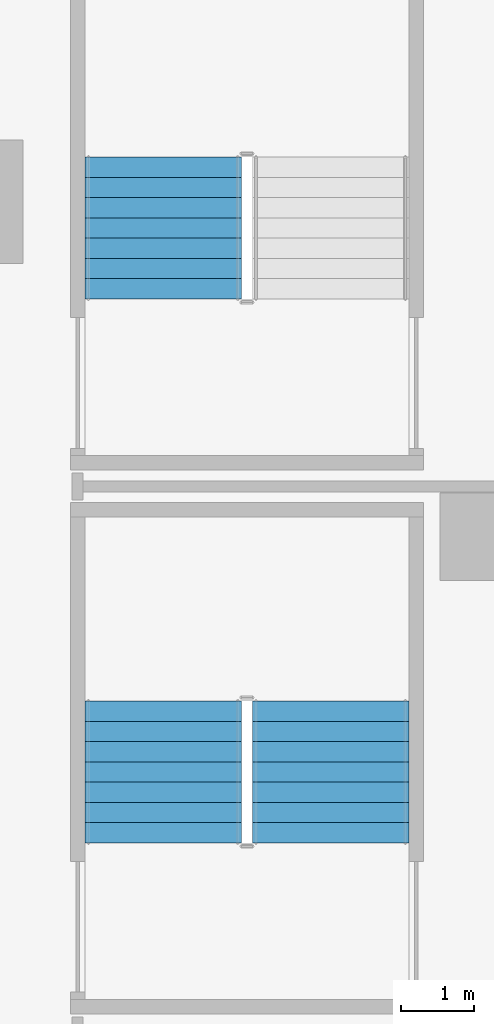
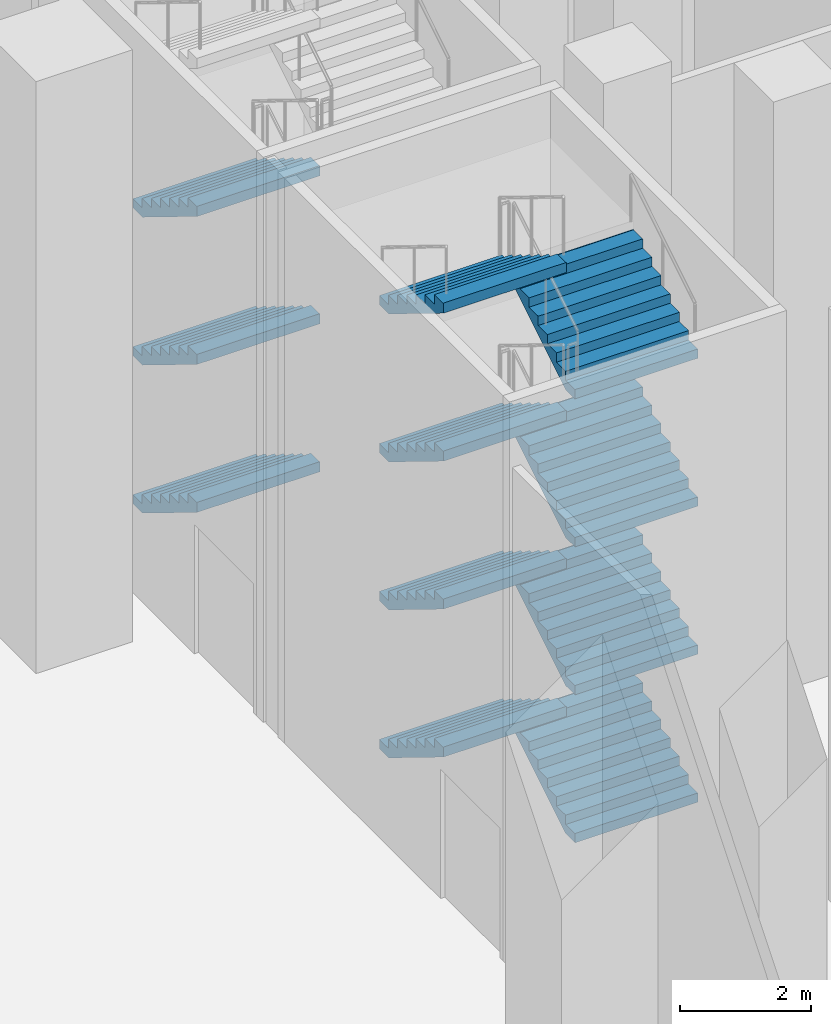
# One storey, part 18 of 31: 11 stair flights, 2 elements without a shape of their own.
"""IFC4 building model written with IfcOpenShell, lengths in metres."""

from ifc_helpers import new_model, si_unit, direction, frame, origin, place, context, subcontext, project, spatial, faceted_brep, source, transform, mapped, material, type_object, element, aggregate, save


model = new_model("IFC4")

# Units and contexts
model_context = context("Model", 3, precision=1e-05, world=origin(), true_north=direction((0.0, 1.0)))
body_context = subcontext(model_context, "Body", "Model", "MODEL_VIEW")
ifc_project = project(units=[si_unit("LENGTHUNIT", "METRE"), si_unit("AREAUNIT", "SQUARE_METRE"), si_unit("VOLUMEUNIT", "CUBIC_METRE"), si_unit("PLANEANGLEUNIT", "RADIAN"), si_unit("MASSUNIT", "GRAM", prefix="KILO")], contexts=[model_context])

# Site, building, storey
site_placement = place(None, origin())
site = spatial("IfcSite", under=ifc_project, at=site_placement, CompositionType="ELEMENT")
building_placement = place(site_placement, origin())
building = spatial("IfcBuilding", under=site, at=building_placement, Name="Calabash Gate Tower", CompositionType="ELEMENT")
storey_placement = place(building_placement, frame((0.0, 0.0, 9.0)))
storey = spatial("IfcBuildingStorey", under=building, at=storey_placement, Name="L01", CompositionType="ELEMENT", Elevation=9.0)

# Stair, stair flights
ifc_material_1 = material(Name="Concrete C40/50", Category="concrete")
stair_type = type_object("IfcStairType", Name="Public stair 64 risers of 171.9 mm", PredefinedType="HALF_TURN_STAIR", material=ifc_material_1)
stair_1_placement = place(storey_placement, origin())
stair_1 = element("IfcStair", 1, at=stair_1_placement, inside=storey, type_object=stair_type, Name="L01 Public Stair PS6", PredefinedType="HALF_TURN_STAIR")
ifc_material_2 = material(Name="Concrete C40/50", Category="concrete")
stair_flight_type = type_object("IfcStairFlightType", Name="Exit stair flight SFL", PredefinedType="STRAIGHT", material=ifc_material_2)
shared_shape = source(origin(), body_context, "Body", "Brep", [
    faceted_brep([(-0.0009765625, -1.080078125, 0.0), (0.285888671875, -1.080078125, 0.0), (1.9541015625, -1.080078125, 1.027099609375), (-0.0009765625, 1.080078125, 0.0), (1.9541015625, 1.080078125, 1.027099609375), (0.285888671875, 1.080078125, 0.0), (1.9541015625, -1.080078125, 1.215087890625), (1.952880859375, -1.080078125, 1.215087890625), (1.952880859375, 1.080078125, 1.215087890625), (1.9541015625, 1.080078125, 1.215087890625), (1.952880859375, -1.080078125, 1.203125), (1.952880859375, 1.080078125, 1.203125), (1.674072265625, -1.080078125, 1.203125), (1.674072265625, 1.080078125, 1.203125), (1.674072265625, -1.080078125, 1.03125), (1.674072265625, 1.080078125, 1.03125), (1.39501953125, -1.080078125, 1.03125), (1.39501953125, 1.080078125, 1.03125), (1.39501953125, -1.080078125, 0.859375), (1.39501953125, 1.080078125, 0.859375), (1.115966796875, -1.080078125, 0.859375), (1.115966796875, -1.080078125, 0.6875), (1.115966796875, 1.080078125, 0.6875), (1.115966796875, 1.080078125, 0.859375), (0.8369140625, -1.080078125, 0.6875), (0.8369140625, -1.080078125, 0.515625), (0.8369140625, 1.080078125, 0.515625), (0.8369140625, 1.080078125, 0.6875), (0.55810546875, -1.080078125, 0.515625), (0.55810546875, -1.080078125, 0.34375), (0.55810546875, 1.080078125, 0.34375), (0.55810546875, 1.080078125, 0.515625), (0.279052734375, -1.080078125, 0.34375), (0.279052734375, -1.080078125, 0.171875), (0.279052734375, 1.080078125, 0.171875), (0.279052734375, 1.080078125, 0.34375), (-0.0009765625, -1.080078125, 0.171875), (-0.0009765625, 1.080078125, 0.171875), (0.285888671875, -0.431884765625, 0.0), (1.9541015625, -0.431884765625, 1.027099609375), (0.285888671875, -0.370361328125, 0.0), (1.9541015625, -0.370361328125, 1.027099609375), (0.285888671875, -0.30859375, 0.0), (1.9541015625, -0.30859375, 1.027099609375), (0.285888671875, -0.246826171875, 0.0), (1.9541015625, -0.246826171875, 1.027099609375), (0.285888671875, -0.18505859375, 0.0), (1.9541015625, -0.18505859375, 1.027099609375), (0.285888671875, -0.12353515625, 0.0), (1.9541015625, -0.12353515625, 1.027099609375), (0.285888671875, -0.061767578125, 0.0), (1.9541015625, -0.061767578125, 1.027099609375), (0.285888671875, 0.0, 0.0), (1.9541015625, 0.0, 1.027099609375), (0.285888671875, 0.061767578125, 0.0), (1.9541015625, 0.061767578125, 1.027099609375), (0.285888671875, 0.12353515625, 0.0), (1.9541015625, 0.12353515625, 1.027099609375), (0.285888671875, 0.18505859375, 0.0), (1.9541015625, 0.18505859375, 1.027099609375), (0.285888671875, 0.246826171875, 0.0), (1.9541015625, 0.246826171875, 1.027099609375), (0.285888671875, 0.30859375, 0.0), (1.9541015625, 0.30859375, 1.027099609375), (0.285888671875, 0.370361328125, 0.0), (1.9541015625, 0.370361328125, 1.027099609375), (0.285888671875, 0.431884765625, 0.0), (1.9541015625, 0.431884765625, 1.027099609375), (1.9541015625, -0.431884765625, 1.215087890625), (1.9541015625, -0.370361328125, 1.215087890625), (1.9541015625, -0.30859375, 1.215087890625), (1.9541015625, -0.246826171875, 1.215087890625), (1.9541015625, -0.18505859375, 1.215087890625), (1.9541015625, -0.12353515625, 1.215087890625), (1.9541015625, -0.061767578125, 1.215087890625), (1.9541015625, 0.0, 1.215087890625), (1.9541015625, 0.061767578125, 1.215087890625), (1.9541015625, 0.12353515625, 1.215087890625), (1.9541015625, 0.18505859375, 1.215087890625), (1.9541015625, 0.246826171875, 1.215087890625), (1.9541015625, 0.30859375, 1.215087890625), (1.9541015625, 0.370361328125, 1.215087890625), (1.9541015625, 0.431884765625, 1.215087890625), (1.952880859375, -0.431884765625, 1.215087890625), (1.952880859375, -0.370361328125, 1.215087890625), (1.952880859375, -0.30859375, 1.215087890625), (1.952880859375, -0.246826171875, 1.215087890625), (1.952880859375, -0.18505859375, 1.215087890625), (1.952880859375, -0.12353515625, 1.215087890625), (1.952880859375, -0.061767578125, 1.215087890625), (1.952880859375, 0.0, 1.215087890625), (1.952880859375, 0.061767578125, 1.215087890625), (1.952880859375, 0.12353515625, 1.215087890625), (1.952880859375, 0.18505859375, 1.215087890625), (1.952880859375, 0.246826171875, 1.215087890625), (1.952880859375, 0.30859375, 1.215087890625), (1.952880859375, 0.370361328125, 1.215087890625), (1.952880859375, 0.431884765625, 1.215087890625), (1.952880859375, -0.431884765625, 1.203125), (1.952880859375, -0.370361328125, 1.203125), (1.952880859375, -0.30859375, 1.203125), (1.952880859375, -0.246826171875, 1.203125), (1.952880859375, -0.18505859375, 1.203125), (1.952880859375, -0.12353515625, 1.203125), (1.952880859375, -0.061767578125, 1.203125), (1.952880859375, 0.0, 1.203125), (1.952880859375, 0.061767578125, 1.203125), (1.952880859375, 0.12353515625, 1.203125), (1.952880859375, 0.18505859375, 1.203125), (1.952880859375, 0.246826171875, 1.203125), (1.952880859375, 0.30859375, 1.203125), (1.952880859375, 0.370361328125, 1.203125), (1.952880859375, 0.431884765625, 1.203125), (1.674072265625, -0.431884765625, 1.203125), (1.674072265625, -0.370361328125, 1.203125), (1.674072265625, -0.30859375, 1.203125), (1.674072265625, -0.246826171875, 1.203125), (1.674072265625, -0.18505859375, 1.203125), (1.674072265625, -0.12353515625, 1.203125), (1.674072265625, -0.061767578125, 1.203125), (1.674072265625, 0.0, 1.203125), (1.674072265625, 0.061767578125, 1.203125), (1.674072265625, 0.12353515625, 1.203125), (1.674072265625, 0.18505859375, 1.203125), (1.674072265625, 0.246826171875, 1.203125), (1.674072265625, 0.30859375, 1.203125), (1.674072265625, 0.370361328125, 1.203125), (1.674072265625, 0.431884765625, 1.203125), (1.674072265625, -0.431884765625, 1.03125), (1.674072265625, -0.370361328125, 1.03125), (1.674072265625, -0.30859375, 1.03125), (1.674072265625, -0.246826171875, 1.03125), (1.674072265625, -0.18505859375, 1.03125), (1.674072265625, -0.12353515625, 1.03125), (1.674072265625, -0.061767578125, 1.03125), (1.674072265625, 0.0, 1.03125), (1.674072265625, 0.061767578125, 1.03125), (1.674072265625, 0.12353515625, 1.03125), (1.674072265625, 0.18505859375, 1.03125), (1.674072265625, 0.246826171875, 1.03125), (1.674072265625, 0.30859375, 1.03125), (1.674072265625, 0.370361328125, 1.03125), (1.674072265625, 0.431884765625, 1.03125), (1.39501953125, -0.431884765625, 1.03125), (1.39501953125, -0.370361328125, 1.03125), (1.39501953125, -0.30859375, 1.03125), (1.39501953125, -0.246826171875, 1.03125), (1.39501953125, -0.18505859375, 1.03125), (1.39501953125, -0.12353515625, 1.03125), (1.39501953125, -0.061767578125, 1.03125), (1.39501953125, 0.0, 1.03125), (1.39501953125, 0.061767578125, 1.03125), (1.39501953125, 0.12353515625, 1.03125), (1.39501953125, 0.18505859375, 1.03125), (1.39501953125, 0.246826171875, 1.03125), (1.39501953125, 0.30859375, 1.03125), (1.39501953125, 0.370361328125, 1.03125), (1.39501953125, 0.431884765625, 1.03125), (1.39501953125, -0.431884765625, 0.859375), (1.39501953125, -0.370361328125, 0.859375), (1.39501953125, -0.30859375, 0.859375), (1.39501953125, -0.246826171875, 0.859375), (1.39501953125, -0.18505859375, 0.859375), (1.39501953125, -0.12353515625, 0.859375), (1.39501953125, -0.061767578125, 0.859375), (1.39501953125, 0.0, 0.859375), (1.39501953125, 0.061767578125, 0.859375), (1.39501953125, 0.12353515625, 0.859375), (1.39501953125, 0.18505859375, 0.859375), (1.39501953125, 0.246826171875, 0.859375), (1.39501953125, 0.30859375, 0.859375), (1.39501953125, 0.370361328125, 0.859375), (1.39501953125, 0.431884765625, 0.859375), (1.115966796875, -0.431884765625, 0.859375), (1.115966796875, -0.370361328125, 0.859375), (1.115966796875, -0.30859375, 0.859375), (1.115966796875, -0.246826171875, 0.859375), (1.115966796875, -0.18505859375, 0.859375), (1.115966796875, -0.12353515625, 0.859375), (1.115966796875, -0.061767578125, 0.859375), (1.115966796875, 0.0, 0.859375), (1.115966796875, 0.061767578125, 0.859375), (1.115966796875, 0.12353515625, 0.859375), (1.115966796875, 0.18505859375, 0.859375), (1.115966796875, 0.246826171875, 0.859375), (1.115966796875, 0.30859375, 0.859375), (1.115966796875, 0.370361328125, 0.859375), (1.115966796875, 0.431884765625, 0.859375), (1.115966796875, -0.431884765625, 0.6875), (1.115966796875, -0.370361328125, 0.6875), (1.115966796875, -0.30859375, 0.6875), (1.115966796875, -0.246826171875, 0.6875), (1.115966796875, -0.18505859375, 0.6875), (1.115966796875, -0.12353515625, 0.6875), (1.115966796875, -0.061767578125, 0.6875), (1.115966796875, 0.0, 0.6875), (1.115966796875, 0.061767578125, 0.6875), (1.115966796875, 0.12353515625, 0.6875), (1.115966796875, 0.18505859375, 0.6875), (1.115966796875, 0.246826171875, 0.6875), (1.115966796875, 0.30859375, 0.6875), (1.115966796875, 0.370361328125, 0.6875), (1.115966796875, 0.431884765625, 0.6875), (0.8369140625, -0.431884765625, 0.6875), (0.8369140625, -0.370361328125, 0.6875), (0.8369140625, -0.30859375, 0.6875), (0.8369140625, -0.246826171875, 0.6875), (0.8369140625, -0.18505859375, 0.6875), (0.8369140625, -0.12353515625, 0.6875), (0.8369140625, -0.061767578125, 0.6875), (0.8369140625, 0.0, 0.6875), (0.8369140625, 0.061767578125, 0.6875), (0.8369140625, 0.12353515625, 0.6875), (0.8369140625, 0.18505859375, 0.6875), (0.8369140625, 0.246826171875, 0.6875), (0.8369140625, 0.30859375, 0.6875), (0.8369140625, 0.370361328125, 0.6875), (0.8369140625, 0.431884765625, 0.6875), (0.8369140625, -0.431884765625, 0.515625), (0.8369140625, -0.370361328125, 0.515625), (0.8369140625, -0.30859375, 0.515625), (0.8369140625, -0.246826171875, 0.515625), (0.8369140625, -0.18505859375, 0.515625), (0.8369140625, -0.12353515625, 0.515625), (0.8369140625, -0.061767578125, 0.515625), (0.8369140625, 0.0, 0.515625), (0.8369140625, 0.061767578125, 0.515625), (0.8369140625, 0.12353515625, 0.515625), (0.8369140625, 0.18505859375, 0.515625), (0.8369140625, 0.246826171875, 0.515625), (0.8369140625, 0.30859375, 0.515625), (0.8369140625, 0.370361328125, 0.515625), (0.8369140625, 0.431884765625, 0.515625), (0.55810546875, -0.431884765625, 0.515625), (0.55810546875, -0.370361328125, 0.515625), (0.55810546875, -0.30859375, 0.515625), (0.55810546875, -0.246826171875, 0.515625), (0.55810546875, -0.18505859375, 0.515625), (0.55810546875, -0.12353515625, 0.515625), (0.55810546875, -0.061767578125, 0.515625), (0.55810546875, 0.0, 0.515625), (0.55810546875, 0.061767578125, 0.515625), (0.55810546875, 0.12353515625, 0.515625), (0.55810546875, 0.18505859375, 0.515625), (0.55810546875, 0.246826171875, 0.515625), (0.55810546875, 0.30859375, 0.515625), (0.55810546875, 0.370361328125, 0.515625), (0.55810546875, 0.431884765625, 0.515625), (0.55810546875, -0.431884765625, 0.34375), (0.55810546875, -0.370361328125, 0.34375), (0.55810546875, -0.30859375, 0.34375), (0.55810546875, -0.246826171875, 0.34375), (0.55810546875, -0.18505859375, 0.34375), (0.55810546875, -0.12353515625, 0.34375), (0.55810546875, -0.061767578125, 0.34375), (0.55810546875, 0.0, 0.34375), (0.55810546875, 0.061767578125, 0.34375), (0.55810546875, 0.12353515625, 0.34375), (0.55810546875, 0.18505859375, 0.34375), (0.55810546875, 0.246826171875, 0.34375), (0.55810546875, 0.30859375, 0.34375), (0.55810546875, 0.370361328125, 0.34375), (0.55810546875, 0.431884765625, 0.34375), (0.279052734375, -0.431884765625, 0.34375), (0.279052734375, -0.370361328125, 0.34375), (0.279052734375, -0.30859375, 0.34375), (0.279052734375, -0.246826171875, 0.34375), (0.279052734375, -0.18505859375, 0.34375), (0.279052734375, -0.12353515625, 0.34375), (0.279052734375, -0.061767578125, 0.34375), (0.279052734375, 0.0, 0.34375), (0.279052734375, 0.061767578125, 0.34375), (0.279052734375, 0.12353515625, 0.34375), (0.279052734375, 0.18505859375, 0.34375), (0.279052734375, 0.246826171875, 0.34375), (0.279052734375, 0.30859375, 0.34375), (0.279052734375, 0.370361328125, 0.34375), (0.279052734375, 0.431884765625, 0.34375), (0.279052734375, -0.431884765625, 0.171875), (0.279052734375, -0.370361328125, 0.171875), (0.279052734375, -0.30859375, 0.171875), (0.279052734375, -0.246826171875, 0.171875), (0.279052734375, -0.18505859375, 0.171875), (0.279052734375, -0.12353515625, 0.171875), (0.279052734375, -0.061767578125, 0.171875), (0.279052734375, 0.0, 0.171875), (0.279052734375, 0.061767578125, 0.171875), (0.279052734375, 0.12353515625, 0.171875), (0.279052734375, 0.18505859375, 0.171875), (0.279052734375, 0.246826171875, 0.171875), (0.279052734375, 0.30859375, 0.171875), (0.279052734375, 0.370361328125, 0.171875), (0.279052734375, 0.431884765625, 0.171875), (-0.0009765625, -0.431884765625, 0.171875), (-0.0009765625, -0.370361328125, 0.171875), (-0.0009765625, -0.30859375, 0.171875), (-0.0009765625, -0.246826171875, 0.171875), (-0.0009765625, -0.18505859375, 0.171875), (-0.0009765625, -0.12353515625, 0.171875), (-0.0009765625, -0.061767578125, 0.171875), (-0.0009765625, 0.0, 0.171875), (-0.0009765625, 0.061767578125, 0.171875), (-0.0009765625, 0.12353515625, 0.171875), (-0.0009765625, 0.18505859375, 0.171875), (-0.0009765625, 0.246826171875, 0.171875), (-0.0009765625, 0.30859375, 0.171875), (-0.0009765625, 0.370361328125, 0.171875), (-0.0009765625, 0.431884765625, 0.171875), (-0.0009765625, -0.431884765625, 0.0), (-0.0009765625, -0.370361328125, 0.0), (-0.0009765625, -0.30859375, 0.0), (-0.0009765625, -0.246826171875, 0.0), (-0.0009765625, -0.18505859375, 0.0), (-0.0009765625, -0.12353515625, 0.0), (-0.0009765625, -0.061767578125, 0.0), (-0.0009765625, 0.0, 0.0), (-0.0009765625, 0.061767578125, 0.0), (-0.0009765625, 0.12353515625, 0.0), (-0.0009765625, 0.18505859375, 0.0), (-0.0009765625, 0.246826171875, 0.0), (-0.0009765625, 0.30859375, 0.0), (-0.0009765625, 0.370361328125, 0.0), (-0.0009765625, 0.431884765625, 0.0)], [[[0, 1, 2]], [[3, 4, 5]], [[2, 6, 7]], [[4, 8, 9]], [[2, 7, 10]], [[4, 11, 8]], [[2, 10, 12]], [[4, 13, 11]], [[2, 12, 14]], [[4, 15, 13]], [[2, 14, 16]], [[4, 17, 15]], [[2, 16, 18]], [[4, 19, 17]], [[18, 20, 21]], [[19, 22, 23]], [[2, 18, 21]], [[4, 22, 19]], [[21, 24, 25]], [[22, 26, 27]], [[2, 21, 25]], [[4, 26, 22]], [[25, 28, 29]], [[26, 30, 31]], [[2, 25, 29]], [[4, 30, 26]], [[29, 32, 33]], [[30, 34, 35]], [[2, 29, 33]], [[4, 34, 30]], [[0, 2, 33]], [[3, 34, 4]], [[33, 36, 0]], [[34, 3, 37]], [[1, 38, 2]], [[38, 39, 2]], [[38, 40, 39]], [[40, 41, 39]], [[40, 42, 41]], [[42, 43, 41]], [[42, 44, 43]], [[44, 45, 43]], [[44, 46, 45]], [[46, 47, 45]], [[46, 48, 47]], [[48, 49, 47]], [[48, 50, 49]], [[50, 51, 49]], [[50, 52, 51]], [[52, 53, 51]], [[52, 54, 55]], [[52, 55, 53]], [[54, 56, 57]], [[54, 57, 55]], [[56, 58, 59]], [[56, 59, 57]], [[58, 60, 61]], [[58, 61, 59]], [[60, 62, 63]], [[60, 63, 61]], [[62, 64, 65]], [[62, 65, 63]], [[64, 66, 67]], [[64, 67, 65]], [[66, 5, 4]], [[66, 4, 67]], [[2, 39, 6]], [[39, 68, 6]], [[39, 41, 68]], [[41, 69, 68]], [[41, 43, 69]], [[43, 70, 69]], [[43, 45, 70]], [[45, 71, 70]], [[45, 47, 71]], [[47, 72, 71]], [[47, 49, 72]], [[49, 73, 72]], [[49, 51, 73]], [[51, 74, 73]], [[51, 53, 74]], [[53, 75, 74]], [[53, 55, 76]], [[53, 76, 75]], [[55, 57, 77]], [[55, 77, 76]], [[57, 59, 78]], [[57, 78, 77]], [[59, 61, 79]], [[59, 79, 78]], [[61, 63, 80]], [[61, 80, 79]], [[63, 65, 81]], [[63, 81, 80]], [[65, 67, 82]], [[65, 82, 81]], [[67, 4, 9]], [[67, 9, 82]], [[6, 68, 7]], [[68, 83, 7]], [[68, 69, 83]], [[69, 84, 83]], [[69, 70, 84]], [[70, 85, 84]], [[70, 71, 85]], [[71, 86, 85]], [[71, 72, 86]], [[72, 87, 86]], [[72, 73, 87]], [[73, 88, 87]], [[73, 74, 88]], [[74, 89, 88]], [[74, 75, 89]], [[75, 90, 89]], [[75, 76, 91]], [[75, 91, 90]], [[76, 77, 92]], [[76, 92, 91]], [[77, 78, 93]], [[77, 93, 92]], [[78, 79, 94]], [[78, 94, 93]], [[79, 80, 95]], [[79, 95, 94]], [[80, 81, 96]], [[80, 96, 95]], [[81, 82, 97]], [[81, 97, 96]], [[82, 9, 8]], [[82, 8, 97]], [[7, 83, 10]], [[83, 98, 10]], [[83, 84, 98]], [[84, 99, 98]], [[84, 85, 99]], [[85, 100, 99]], [[85, 86, 100]], [[86, 101, 100]], [[86, 87, 101]], [[87, 102, 101]], [[87, 88, 102]], [[88, 103, 102]], [[88, 89, 103]], [[89, 104, 103]], [[89, 90, 104]], [[90, 105, 104]], [[90, 91, 106]], [[90, 106, 105]], [[91, 92, 107]], [[91, 107, 106]], [[92, 93, 108]], [[92, 108, 107]], [[93, 94, 109]], [[93, 109, 108]], [[94, 95, 110]], [[94, 110, 109]], [[95, 96, 111]], [[95, 111, 110]], [[96, 97, 112]], [[96, 112, 111]], [[97, 8, 11]], [[97, 11, 112]], [[10, 98, 12]], [[98, 113, 12]], [[98, 99, 113]], [[99, 114, 113]], [[99, 100, 114]], [[100, 115, 114]], [[100, 101, 115]], [[101, 116, 115]], [[101, 102, 116]], [[102, 117, 116]], [[102, 103, 117]], [[103, 118, 117]], [[103, 104, 118]], [[104, 119, 118]], [[104, 105, 119]], [[105, 120, 119]], [[105, 106, 121]], [[105, 121, 120]], [[106, 107, 122]], [[106, 122, 121]], [[107, 108, 123]], [[107, 123, 122]], [[108, 109, 124]], [[108, 124, 123]], [[109, 110, 125]], [[109, 125, 124]], [[110, 111, 126]], [[110, 126, 125]], [[111, 112, 127]], [[111, 127, 126]], [[112, 11, 13]], [[112, 13, 127]], [[12, 113, 14]], [[113, 128, 14]], [[113, 114, 128]], [[114, 129, 128]], [[114, 115, 129]], [[115, 130, 129]], [[115, 116, 130]], [[116, 131, 130]], [[116, 117, 131]], [[117, 132, 131]], [[117, 118, 132]], [[118, 133, 132]], [[118, 119, 133]], [[119, 134, 133]], [[119, 120, 134]], [[120, 135, 134]], [[120, 121, 136]], [[120, 136, 135]], [[121, 122, 137]], [[121, 137, 136]], [[122, 123, 138]], [[122, 138, 137]], [[123, 124, 139]], [[123, 139, 138]], [[124, 125, 140]], [[124, 140, 139]], [[125, 126, 141]], [[125, 141, 140]], [[126, 127, 142]], [[126, 142, 141]], [[127, 13, 15]], [[127, 15, 142]], [[14, 128, 16]], [[128, 143, 16]], [[128, 129, 143]], [[129, 144, 143]], [[129, 130, 144]], [[130, 145, 144]], [[130, 131, 145]], [[131, 146, 145]], [[131, 132, 146]], [[132, 147, 146]], [[132, 133, 147]], [[133, 148, 147]], [[133, 134, 148]], [[134, 149, 148]], [[134, 135, 149]], [[135, 150, 149]], [[135, 136, 151]], [[135, 151, 150]], [[136, 137, 152]], [[136, 152, 151]], [[137, 138, 153]], [[137, 153, 152]], [[138, 139, 154]], [[138, 154, 153]], [[139, 140, 155]], [[139, 155, 154]], [[140, 141, 156]], [[140, 156, 155]], [[141, 142, 157]], [[141, 157, 156]], [[142, 15, 17]], [[142, 17, 157]], [[16, 143, 18]], [[143, 158, 18]], [[143, 144, 158]], [[144, 159, 158]], [[144, 145, 159]], [[145, 160, 159]], [[145, 146, 160]], [[146, 161, 160]], [[146, 147, 161]], [[147, 162, 161]], [[147, 148, 162]], [[148, 163, 162]], [[148, 149, 163]], [[149, 164, 163]], [[149, 150, 164]], [[150, 165, 164]], [[150, 151, 166]], [[150, 166, 165]], [[151, 152, 167]], [[151, 167, 166]], [[152, 153, 168]], [[152, 168, 167]], [[153, 154, 169]], [[153, 169, 168]], [[154, 155, 170]], [[154, 170, 169]], [[155, 156, 171]], [[155, 171, 170]], [[156, 157, 172]], [[156, 172, 171]], [[157, 17, 19]], [[157, 19, 172]], [[18, 158, 20]], [[158, 173, 20]], [[158, 159, 173]], [[159, 174, 173]], [[159, 160, 174]], [[160, 175, 174]], [[160, 161, 175]], [[161, 176, 175]], [[161, 162, 176]], [[162, 177, 176]], [[162, 163, 177]], [[163, 178, 177]], [[163, 164, 178]], [[164, 179, 178]], [[164, 165, 179]], [[165, 180, 179]], [[165, 166, 181]], [[165, 181, 180]], [[166, 167, 182]], [[166, 182, 181]], [[167, 168, 183]], [[167, 183, 182]], [[168, 169, 184]], [[168, 184, 183]], [[169, 170, 185]], [[169, 185, 184]], [[170, 171, 186]], [[170, 186, 185]], [[171, 172, 187]], [[171, 187, 186]], [[172, 19, 23]], [[172, 23, 187]], [[20, 173, 21]], [[173, 188, 21]], [[173, 174, 188]], [[174, 189, 188]], [[174, 175, 189]], [[175, 190, 189]], [[175, 176, 190]], [[176, 191, 190]], [[176, 177, 191]], [[177, 192, 191]], [[177, 178, 192]], [[178, 193, 192]], [[178, 179, 193]], [[179, 194, 193]], [[179, 180, 194]], [[180, 195, 194]], [[180, 181, 196]], [[180, 196, 195]], [[181, 182, 197]], [[181, 197, 196]], [[182, 183, 198]], [[182, 198, 197]], [[183, 184, 199]], [[183, 199, 198]], [[184, 185, 200]], [[184, 200, 199]], [[185, 186, 201]], [[185, 201, 200]], [[186, 187, 202]], [[186, 202, 201]], [[187, 23, 22]], [[187, 22, 202]], [[21, 188, 24]], [[188, 203, 24]], [[188, 189, 203]], [[189, 204, 203]], [[189, 190, 204]], [[190, 205, 204]], [[190, 191, 205]], [[191, 206, 205]], [[191, 192, 206]], [[192, 207, 206]], [[192, 193, 207]], [[193, 208, 207]], [[193, 194, 208]], [[194, 209, 208]], [[194, 195, 209]], [[195, 210, 209]], [[195, 196, 211]], [[195, 211, 210]], [[196, 197, 212]], [[196, 212, 211]], [[197, 198, 213]], [[197, 213, 212]], [[198, 199, 214]], [[198, 214, 213]], [[199, 200, 215]], [[199, 215, 214]], [[200, 201, 216]], [[200, 216, 215]], [[201, 202, 217]], [[201, 217, 216]], [[202, 22, 27]], [[202, 27, 217]], [[24, 203, 25]], [[203, 218, 25]], [[203, 204, 218]], [[204, 219, 218]], [[204, 205, 219]], [[205, 220, 219]], [[205, 206, 220]], [[206, 221, 220]], [[206, 207, 221]], [[207, 222, 221]], [[207, 208, 222]], [[208, 223, 222]], [[208, 209, 223]], [[209, 224, 223]], [[209, 210, 224]], [[210, 225, 224]], [[210, 211, 226]], [[210, 226, 225]], [[211, 212, 227]], [[211, 227, 226]], [[212, 213, 228]], [[212, 228, 227]], [[213, 214, 229]], [[213, 229, 228]], [[214, 215, 230]], [[214, 230, 229]], [[215, 216, 231]], [[215, 231, 230]], [[216, 217, 232]], [[216, 232, 231]], [[217, 27, 26]], [[217, 26, 232]], [[25, 218, 28]], [[218, 233, 28]], [[218, 219, 233]], [[219, 234, 233]], [[219, 220, 234]], [[220, 235, 234]], [[220, 221, 235]], [[221, 236, 235]], [[221, 222, 236]], [[222, 237, 236]], [[222, 223, 237]], [[223, 238, 237]], [[223, 224, 238]], [[224, 239, 238]], [[224, 225, 239]], [[225, 240, 239]], [[225, 226, 241]], [[225, 241, 240]], [[226, 227, 242]], [[226, 242, 241]], [[227, 228, 243]], [[227, 243, 242]], [[228, 229, 244]], [[228, 244, 243]], [[229, 230, 245]], [[229, 245, 244]], [[230, 231, 246]], [[230, 246, 245]], [[231, 232, 247]], [[231, 247, 246]], [[232, 26, 31]], [[232, 31, 247]], [[28, 233, 29]], [[233, 248, 29]], [[233, 234, 248]], [[234, 249, 248]], [[234, 235, 249]], [[235, 250, 249]], [[235, 236, 250]], [[236, 251, 250]], [[236, 237, 251]], [[237, 252, 251]], [[237, 238, 252]], [[238, 253, 252]], [[238, 239, 253]], [[239, 254, 253]], [[239, 240, 254]], [[240, 255, 254]], [[240, 241, 256]], [[240, 256, 255]], [[241, 242, 257]], [[241, 257, 256]], [[242, 243, 258]], [[242, 258, 257]], [[243, 244, 259]], [[243, 259, 258]], [[244, 245, 260]], [[244, 260, 259]], [[245, 246, 261]], [[245, 261, 260]], [[246, 247, 262]], [[246, 262, 261]], [[247, 31, 30]], [[247, 30, 262]], [[29, 248, 32]], [[248, 263, 32]], [[248, 249, 263]], [[249, 264, 263]], [[249, 250, 264]], [[250, 265, 264]], [[250, 251, 265]], [[251, 266, 265]], [[251, 252, 266]], [[252, 267, 266]], [[252, 253, 267]], [[253, 268, 267]], [[253, 254, 268]], [[254, 269, 268]], [[254, 255, 269]], [[255, 270, 269]], [[255, 256, 271]], [[255, 271, 270]], [[256, 257, 272]], [[256, 272, 271]], [[257, 258, 273]], [[257, 273, 272]], [[258, 259, 274]], [[258, 274, 273]], [[259, 260, 275]], [[259, 275, 274]], [[260, 261, 276]], [[260, 276, 275]], [[261, 262, 277]], [[261, 277, 276]], [[262, 30, 35]], [[262, 35, 277]], [[32, 263, 33]], [[263, 278, 33]], [[263, 264, 278]], [[264, 279, 278]], [[264, 265, 279]], [[265, 280, 279]], [[265, 266, 280]], [[266, 281, 280]], [[266, 267, 281]], [[267, 282, 281]], [[267, 268, 282]], [[268, 283, 282]], [[268, 269, 283]], [[269, 284, 283]], [[269, 270, 284]], [[270, 285, 284]], [[270, 271, 286]], [[270, 286, 285]], [[271, 272, 287]], [[271, 287, 286]], [[272, 273, 288]], [[272, 288, 287]], [[273, 274, 289]], [[273, 289, 288]], [[274, 275, 290]], [[274, 290, 289]], [[275, 276, 291]], [[275, 291, 290]], [[276, 277, 292]], [[276, 292, 291]], [[277, 35, 34]], [[277, 34, 292]], [[33, 278, 36]], [[278, 293, 36]], [[278, 279, 293]], [[279, 294, 293]], [[279, 280, 294]], [[280, 295, 294]], [[280, 281, 295]], [[281, 296, 295]], [[281, 282, 296]], [[282, 297, 296]], [[282, 283, 297]], [[283, 298, 297]], [[283, 284, 298]], [[284, 299, 298]], [[284, 285, 299]], [[285, 300, 299]], [[285, 286, 301]], [[285, 301, 300]], [[286, 287, 302]], [[286, 302, 301]], [[287, 288, 303]], [[287, 303, 302]], [[288, 289, 304]], [[288, 304, 303]], [[289, 290, 305]], [[289, 305, 304]], [[290, 291, 306]], [[290, 306, 305]], [[291, 292, 307]], [[291, 307, 306]], [[292, 34, 37]], [[292, 37, 307]], [[36, 293, 0]], [[293, 308, 0]], [[293, 294, 308]], [[294, 309, 308]], [[294, 295, 309]], [[295, 310, 309]], [[295, 296, 310]], [[296, 311, 310]], [[296, 297, 311]], [[297, 312, 311]], [[297, 298, 312]], [[298, 313, 312]], [[298, 299, 313]], [[299, 314, 313]], [[299, 300, 314]], [[300, 315, 314]], [[300, 301, 316]], [[300, 316, 315]], [[301, 302, 317]], [[301, 317, 316]], [[302, 303, 318]], [[302, 318, 317]], [[303, 304, 319]], [[303, 319, 318]], [[304, 305, 320]], [[304, 320, 319]], [[305, 306, 321]], [[305, 321, 320]], [[306, 307, 322]], [[306, 322, 321]], [[307, 37, 3]], [[307, 3, 322]], [[0, 308, 1]], [[308, 38, 1]], [[308, 309, 38]], [[309, 40, 38]], [[309, 310, 40]], [[310, 42, 40]], [[310, 311, 42]], [[311, 44, 42]], [[311, 312, 44]], [[312, 46, 44]], [[312, 313, 46]], [[313, 48, 46]], [[313, 314, 48]], [[314, 50, 48]], [[314, 315, 50]], [[315, 52, 50]], [[315, 316, 54]], [[315, 54, 52]], [[316, 317, 56]], [[316, 56, 54]], [[317, 318, 58]], [[317, 58, 56]], [[318, 319, 60]], [[318, 60, 58]], [[319, 320, 62]], [[319, 62, 60]], [[320, 321, 64]], [[320, 64, 62]], [[321, 322, 66]], [[321, 66, 64]], [[322, 3, 5]], [[322, 5, 66]]]),
])
stair_flight_1_placement = place(storey_placement, frame((37.090087890625, -32.840087890625, 0.0), z_axis=(0.0, 0.0, 1.0), x_axis=(0.0, 1.0, 0.0)))
stair_flight_1 = element("IfcStairFlight", 2, at=stair_flight_1_placement, type_object=stair_flight_type, Name="PS6 flight 1", NumberOfRisers=8, NumberOfTreads=7, PredefinedType="STRAIGHT", RiserHeight=0.171875, TreadLength=0.279, context=body_context, shape_type="MappedRepresentation", body=[
    mapped(shared_shape, transform((0.0, 0.0, 0.0), scale=1.0)),
])
stair_flight_2_placement = place(storey_placement, frame((34.780029296875, -30.886962890625, 1.375), z_axis=(0.0, 0.0, 1.0), x_axis=(0.0, -1.0, 0.0)))
stair_flight_2 = element("IfcStairFlight", 3, at=stair_flight_2_placement, type_object=stair_flight_type, Name="PS6 flight 2", NumberOfRisers=8, NumberOfTreads=7, PredefinedType="STRAIGHT", RiserHeight=0.171875, TreadLength=0.279, context=body_context, shape_type="MappedRepresentation", body=[
    mapped(shared_shape, transform((0.0, 0.0, 0.0), scale=1.0)),
])
stair_flight_3_placement = place(storey_placement, frame((37.090087890625, -32.840087890625, 2.75), z_axis=(0.0, 0.0, 1.0), x_axis=(0.0, 1.0, 0.0)))
stair_flight_3 = element("IfcStairFlight", 4, at=stair_flight_3_placement, type_object=stair_flight_type, Name="PS6 flight 3", NumberOfRisers=8, NumberOfTreads=7, PredefinedType="STRAIGHT", RiserHeight=0.171875, TreadLength=0.279, context=body_context, shape_type="MappedRepresentation", body=[
    mapped(shared_shape, transform((0.0, 0.0, 0.0), scale=1.0)),
])
stair_flight_4_placement = place(storey_placement, frame((34.780029296875, -30.886962890625, 4.125), z_axis=(0.0, 0.0, 1.0), x_axis=(0.0, -1.0, 0.0)))
stair_flight_4 = element("IfcStairFlight", 5, at=stair_flight_4_placement, type_object=stair_flight_type, Name="PS6 flight 4", NumberOfRisers=8, NumberOfTreads=7, PredefinedType="STRAIGHT", RiserHeight=0.171875, TreadLength=0.279, context=body_context, shape_type="MappedRepresentation", body=[
    mapped(shared_shape, transform((0.0, 0.0, 0.0), scale=1.0)),
])
stair_flight_5_placement = place(storey_placement, frame((37.090087890625, -32.840087890625, 5.5), z_axis=(0.0, 0.0, 1.0), x_axis=(0.0, 1.0, 0.0)))
stair_flight_5 = element("IfcStairFlight", 6, at=stair_flight_5_placement, type_object=stair_flight_type, Name="PS6 flight 5", NumberOfRisers=8, NumberOfTreads=7, PredefinedType="STRAIGHT", RiserHeight=0.171875, TreadLength=0.279, context=body_context, shape_type="MappedRepresentation", body=[
    mapped(shared_shape, transform((0.0, 0.0, 0.0), scale=1.0)),
])
stair_flight_6_placement = place(storey_placement, frame((34.780029296875, -30.886962890625, 6.875), z_axis=(0.0, 0.0, 1.0), x_axis=(0.0, -1.0, 0.0)))
stair_flight_6 = element("IfcStairFlight", 7, at=stair_flight_6_placement, type_object=stair_flight_type, Name="PS6 flight 6", NumberOfRisers=8, NumberOfTreads=7, PredefinedType="STRAIGHT", RiserHeight=0.171875, TreadLength=0.279, context=body_context, shape_type="MappedRepresentation", body=[
    mapped(shared_shape, transform((0.0, 0.0, 0.0), scale=1.0)),
])
stair_flight_7_placement = place(storey_placement, frame((37.090087890625, -32.840087890625, 8.25), z_axis=(0.0, 0.0, 1.0), x_axis=(0.0, 1.0, 0.0)))
stair_flight_7 = element("IfcStairFlight", 8, at=stair_flight_7_placement, type_object=stair_flight_type, Name="PS6 flight 7", NumberOfRisers=8, NumberOfTreads=7, PredefinedType="STRAIGHT", RiserHeight=0.171875, TreadLength=0.279, context=body_context, shape_type="MappedRepresentation", body=[
    mapped(shared_shape, transform((0.0, 0.0, 0.0), scale=1.0)),
])
stair_flight_8_placement = place(storey_placement, frame((34.780029296875, -30.886962890625, 9.625), z_axis=(0.0, 0.0, 1.0), x_axis=(0.0, -1.0, 0.0)))
stair_flight_8 = element("IfcStairFlight", 9, at=stair_flight_8_placement, type_object=stair_flight_type, Name="PS6 flight 8", NumberOfRisers=8, NumberOfTreads=7, PredefinedType="STRAIGHT", RiserHeight=0.171875, TreadLength=0.279, context=body_context, shape_type="MappedRepresentation", body=[
    mapped(shared_shape, transform((0.0, 0.0, 0.0), scale=1.0)),
])
aggregate(stair_1, [stair_flight_1, stair_flight_2, stair_flight_3, stair_flight_4, stair_flight_5, stair_flight_6, stair_flight_7, stair_flight_8])

stair_2_placement = place(storey_placement, origin())
stair_2 = element("IfcStair", 10, at=stair_2_placement, inside=storey, type_object=stair_type, Name="L01 Public Stair PS7", PredefinedType="HALF_TURN_STAIR")
stair_flight_9_placement = place(storey_placement, frame((34.780029296875, -23.386962890625, 1.375), z_axis=(0.0, 0.0, 1.0), x_axis=(0.0, -1.0, 0.0)))
stair_flight_9 = element("IfcStairFlight", 11, at=stair_flight_9_placement, type_object=stair_flight_type, Name="PS7 flight 2", NumberOfRisers=8, NumberOfTreads=7, PredefinedType="STRAIGHT", RiserHeight=0.171875, TreadLength=0.279, context=body_context, shape_type="MappedRepresentation", body=[
    mapped(shared_shape, transform((0.0, 0.0, 0.0), scale=1.0)),
])
stair_flight_10_placement = place(storey_placement, frame((34.780029296875, -23.386962890625, 4.125), z_axis=(0.0, 0.0, 1.0), x_axis=(0.0, -1.0, 0.0)))
stair_flight_10 = element("IfcStairFlight", 12, at=stair_flight_10_placement, type_object=stair_flight_type, Name="PS7 flight 4", NumberOfRisers=8, NumberOfTreads=7, PredefinedType="STRAIGHT", RiserHeight=0.171875, TreadLength=0.279, context=body_context, shape_type="MappedRepresentation", body=[
    mapped(shared_shape, transform((0.0, 0.0, 0.0), scale=1.0)),
])
stair_flight_11_placement = place(storey_placement, frame((34.780029296875, -23.386962890625, 6.875), z_axis=(0.0, 0.0, 1.0), x_axis=(0.0, -1.0, 0.0)))
stair_flight_11 = element("IfcStairFlight", 13, at=stair_flight_11_placement, type_object=stair_flight_type, Name="PS7 flight 6", NumberOfRisers=8, NumberOfTreads=7, PredefinedType="STRAIGHT", RiserHeight=0.171875, TreadLength=0.279, context=body_context, shape_type="MappedRepresentation", body=[
    mapped(shared_shape, transform((0.0, 0.0, 0.0), scale=1.0)),
])
aggregate(stair_2, [stair_flight_9, stair_flight_10, stair_flight_11])

save(model, "model.ifc")
